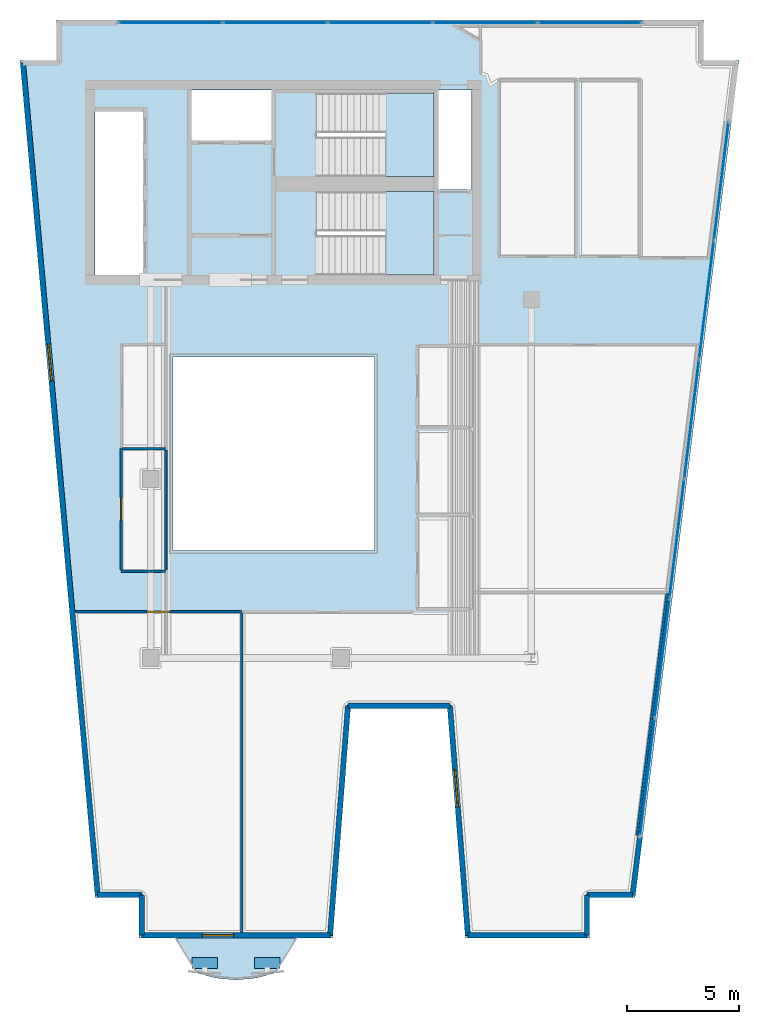
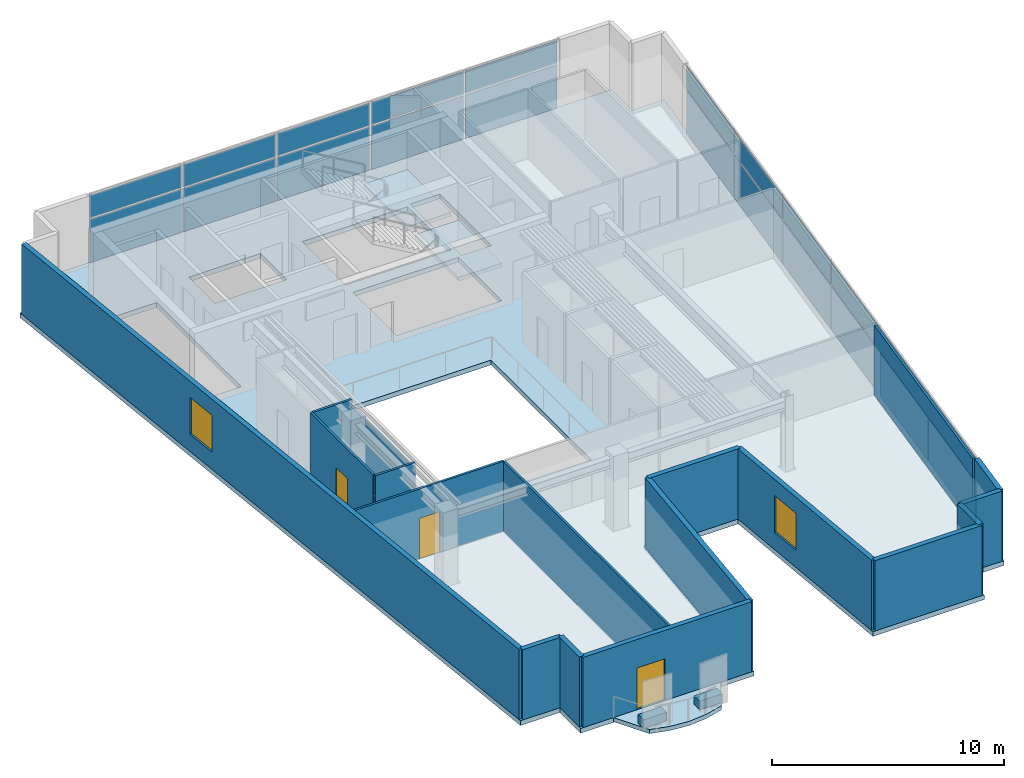
# One storey, part 3 of 8: 24 plates, 18 walls, 4 slabs, 3 doors, 2 windows, 5 openings, 4 elements without a shape of their own.
"""IFC4 building model written with IfcOpenShell, lengths in metres."""

from ifc_helpers import new_model, si_unit, direction, frame, frame_2d, origin, origin_2d, place, context, subcontext, project, spatial, polyline, rectangle, outline, extrude, material, layer, layer_set, type_object, element, fill, aggregate, save


model = new_model("IFC4")

# Units and contexts
model_context = context("Model", 3, precision=1e-05, world=origin(), true_north=direction((0.0, 1.0)))
body_context = subcontext(model_context, "Body", "Model", "MODEL_VIEW")
ifc_project = project(units=[si_unit("LENGTHUNIT", "METRE"), si_unit("AREAUNIT", "SQUARE_METRE"), si_unit("VOLUMEUNIT", "CUBIC_METRE"), si_unit("PLANEANGLEUNIT", "RADIAN"), si_unit("MASSUNIT", "GRAM", prefix="KILO")], contexts=[model_context])

# Site, building, storey
site_placement = place(None, origin())
site = spatial("IfcSite", under=ifc_project, at=site_placement, CompositionType="ELEMENT")
building_placement = place(site_placement, origin())
building = spatial("IfcBuilding", under=site, at=building_placement, Name="Caeloran Harvest Quay", CompositionType="ELEMENT")
storey_placement = place(building_placement, frame((0.0, 0.0, 260.64990234375)))
storey = spatial("IfcBuildingStorey", under=building, at=storey_placement, Name="L62", CompositionType="ELEMENT", Elevation=260.64990234375)

# Slab
ifc_material_1 = material(Name="Concrete C50/60", Category="concrete")
ifc_layer_1 = layer(ifc_material_1, 0.219970703125, Name="Concrete C50/60")
ifc_layer_set_1 = layer_set([ifc_layer_1], Name="Concrete C50/60")
slab_type_1 = type_object("IfcSlabType", Name="BALCONY-BL-220", PredefinedType="FLOOR", material=ifc_layer_set_1)
slab_1_placement = place(storey_placement, frame((0.0, 0.0, -0.219970703125)))
element("IfcSlab", 1, at=slab_1_placement, inside=storey, type_object=slab_type_1, Name="L62 Scalloped Cantilevered Planted Balcony Slab", PredefinedType="FLOOR", context=body_context, shape_type="SweptSolid", body=[
    extrude(outline(polyline([(14.103515625, 0.945068359375), (13.20654296875, 0.70703125), (12.3095703125, 0.6201171875), (11.41259765625, 0.70703125), (10.515380859375, 0.945068359375), (9.6298828125, 2.5), (14.989013671875, 2.5), (14.103515625, 0.945068359375)])), origin(), (0.0, 0.0, 1.0), 0.219970703125),
])

# Curtain wall, plates
ifc_material_2 = material(Name="Aluminium 6063-T6 and Low-E Glazing", Category="aluminium")
ifc_layer_2 = layer(ifc_material_2, 0.219970703125, Name="Aluminium 6063-T6 and Low-E Glazing")
ifc_layer_set_2 = layer_set([ifc_layer_2], Name="Aluminium 6063-T6 and Low-E Glazing")
curtain_wall_type = type_object("IfcCurtainWallType", Name="CW-SYS-CW-5", PredefinedType="USERDEFINED", material=ifc_layer_set_2)
curtain_wall_1_placement = place(storey_placement, origin())
curtain_wall_1 = element("IfcCurtainWall", 2, at=curtain_wall_1_placement, inside=storey, type_object=curtain_wall_type, Name="L62 Unitised Curtain Wall CW-5 Run 6", ObjectType="CURTAIN_WALL", PredefinedType="USERDEFINED")
ifc_material_3 = material(Name="Low-E Double Glazed Vision Glass Unit", Category="glass")
ifc_layer_3 = layer(ifc_material_3, 0.035888671875, Name="Low-E Double Glazed Vision Glass Unit")
ifc_layer_set_3 = layer_set([ifc_layer_3], Name="Low-E Double Glazed Vision Glass Unit")
plate_type_1 = type_object("IfcPlateType", Name="CW-VISION-PANEL", PredefinedType="CURTAIN_PANEL", material=ifc_layer_set_3)
plate_1_placement = place(storey_placement, frame((9.385986328125, 43.3798828125, 0.080078125), z_axis=(0.0, 0.0, 1.0), x_axis=(1.0, 0.0, 0.0)))
plate_1 = element("IfcPlate", 3, at=plate_1_placement, type_object=plate_type_1, Name="CW-5 panel 1.1", PredefinedType="CURTAIN_PANEL", context=body_context, shape_type="SweptSolid", body=[
    extrude(rectangle(XDim=4.572021484375, YDim=0.035888671875, at=origin_2d()), origin(), (0.0, 0.0, 1.0), 2.280029296875),
])
plate_2_placement = place(storey_placement, frame((9.385986328125, 43.3798828125, 2.43994140625), z_axis=(0.0, 0.0, 1.0), x_axis=(1.0, 0.0, 0.0)))
plate_2 = element("IfcPlate", 4, at=plate_2_placement, type_object=plate_type_1, Name="CW-5 panel 1.2", PredefinedType="CURTAIN_PANEL", context=body_context, shape_type="SweptSolid", body=[
    extrude(rectangle(XDim=4.572021484375, YDim=0.035888671875, at=origin_2d()), origin(), (0.0, 0.0, 1.0), 1.179931640625),
])
plate_3_placement = place(storey_placement, frame((14.05810546875, 43.3798828125, 0.080078125), z_axis=(0.0, 0.0, 1.0), x_axis=(1.0, 0.0, 0.0)))
plate_3 = element("IfcPlate", 5, at=plate_3_placement, type_object=plate_type_1, Name="CW-5 panel 2.1", PredefinedType="CURTAIN_PANEL", context=body_context, shape_type="SweptSolid", body=[
    extrude(rectangle(XDim=4.612060546875, YDim=0.035888671875, at=origin_2d()), origin(), (0.0, 0.0, 1.0), 2.280029296875),
])
plate_4_placement = place(storey_placement, frame((14.05810546875, 43.3798828125, 2.43994140625), z_axis=(0.0, 0.0, 1.0), x_axis=(1.0, 0.0, 0.0)))
plate_4 = element("IfcPlate", 6, at=plate_4_placement, type_object=plate_type_1, Name="CW-5 panel 2.2", PredefinedType="CURTAIN_PANEL", context=body_context, shape_type="SweptSolid", body=[
    extrude(rectangle(XDim=4.612060546875, YDim=0.035888671875, at=origin_2d()), origin(), (0.0, 0.0, 1.0), 1.179931640625),
])
plate_5_placement = place(storey_placement, frame((18.75, 43.3798828125, 0.080078125), z_axis=(0.0, 0.0, 1.0), x_axis=(1.0, 0.0, 0.0)))
plate_5 = element("IfcPlate", 7, at=plate_5_placement, type_object=plate_type_1, Name="CW-5 panel 3.1", PredefinedType="CURTAIN_PANEL", context=body_context, shape_type="SweptSolid", body=[
    extrude(rectangle(XDim=4.612060546875, YDim=0.035888671875, at=origin_2d()), origin(), (0.0, 0.0, 1.0), 2.280029296875),
])
plate_6_placement = place(storey_placement, frame((18.75, 43.3798828125, 2.43994140625), z_axis=(0.0, 0.0, 1.0), x_axis=(1.0, 0.0, 0.0)))
plate_6 = element("IfcPlate", 8, at=plate_6_placement, type_object=plate_type_1, Name="CW-5 panel 3.2", PredefinedType="CURTAIN_PANEL", context=body_context, shape_type="SweptSolid", body=[
    extrude(rectangle(XDim=4.612060546875, YDim=0.035888671875, at=origin_2d()), origin(), (0.0, 0.0, 1.0), 1.179931640625),
])
plate_7_placement = place(storey_placement, frame((23.44189453125, 43.3798828125, 0.080078125), z_axis=(0.0, 0.0, 1.0), x_axis=(1.0, 0.0, 0.0)))
plate_7 = element("IfcPlate", 9, at=plate_7_placement, type_object=plate_type_1, Name="CW-5 panel 4.1", PredefinedType="CURTAIN_PANEL", context=body_context, shape_type="SweptSolid", body=[
    extrude(rectangle(XDim=4.612060546875, YDim=0.035888671875, at=origin_2d()), origin(), (0.0, 0.0, 1.0), 2.280029296875),
])
plate_8_placement = place(storey_placement, frame((23.44189453125, 43.3798828125, 2.43994140625), z_axis=(0.0, 0.0, 1.0), x_axis=(1.0, 0.0, 0.0)))
plate_8 = element("IfcPlate", 10, at=plate_8_placement, type_object=plate_type_1, Name="CW-5 panel 4.2", PredefinedType="CURTAIN_PANEL", context=body_context, shape_type="SweptSolid", body=[
    extrude(rectangle(XDim=4.612060546875, YDim=0.035888671875, at=origin_2d()), origin(), (0.0, 0.0, 1.0), 1.179931640625),
])
plate_9_placement = place(storey_placement, frame((28.114013671875, 43.3798828125, 0.080078125), z_axis=(0.0, 0.0, 1.0), x_axis=(1.0, 0.0, 0.0)))
plate_9 = element("IfcPlate", 11, at=plate_9_placement, type_object=plate_type_1, Name="CW-5 panel 5.1", PredefinedType="CURTAIN_PANEL", context=body_context, shape_type="SweptSolid", body=[
    extrude(rectangle(XDim=4.572021484375, YDim=0.035888671875, at=origin_2d()), origin(), (0.0, 0.0, 1.0), 2.280029296875),
])
plate_10_placement = place(storey_placement, frame((28.114013671875, 43.3798828125, 2.43994140625), z_axis=(0.0, 0.0, 1.0), x_axis=(1.0, 0.0, 0.0)))
plate_10 = element("IfcPlate", 12, at=plate_10_placement, type_object=plate_type_1, Name="CW-5 panel 5.2", PredefinedType="CURTAIN_PANEL", context=body_context, shape_type="SweptSolid", body=[
    extrude(rectangle(XDim=4.572021484375, YDim=0.035888671875, at=origin_2d()), origin(), (0.0, 0.0, 1.0), 1.179931640625),
])
aggregate(curtain_wall_1, [plate_1, plate_2, plate_3, plate_4, plate_5, plate_6, plate_7, plate_8, plate_9, plate_10])

curtain_wall_2_placement = place(storey_placement, origin())
curtain_wall_2 = element("IfcCurtainWall", 13, at=curtain_wall_2_placement, inside=storey, type_object=curtain_wall_type, Name="L62 Unitised Curtain Wall CW-5 Run 9", ObjectType="CURTAIN_WALL", PredefinedType="USERDEFINED")
plate_11_placement = place(storey_placement, frame((33.987060546875, 36.313232421875, 0.080078125), z_axis=(0.0, 0.0, 1.0), x_axis=(-0.123190390176, -0.992383054958, 0.0)))
plate_11 = element("IfcPlate", 14, at=plate_11_placement, type_object=plate_type_1, Name="CW-5 panel 1.1", PredefinedType="CURTAIN_PANEL", context=body_context, shape_type="SweptSolid", body=[
    extrude(rectangle(XDim=5.254150390625, YDim=0.035888671875, at=origin_2d()), origin(), (0.0, 0.0, 1.0), 2.280029296875),
])
plate_12_placement = place(storey_placement, frame((33.987060546875, 36.313232421875, 2.43994140625), z_axis=(0.0, 0.0, 1.0), x_axis=(-0.123190390176, -0.992383054958, 0.0)))
plate_12 = element("IfcPlate", 15, at=plate_12_placement, type_object=plate_type_1, Name="CW-5 panel 1.2", PredefinedType="CURTAIN_PANEL", context=body_context, shape_type="SweptSolid", body=[
    extrude(rectangle(XDim=5.254150390625, YDim=0.035888671875, at=origin_2d()), origin(), (0.0, 0.0, 1.0), 1.179931640625),
])
plate_13_placement = place(storey_placement, frame((33.327392578125, 31.0, 0.080078125), z_axis=(0.0, 0.0, 1.0), x_axis=(-0.123190390176, -0.992383054958, 0.0)))
plate_13 = element("IfcPlate", 16, at=plate_13_placement, type_object=plate_type_1, Name="CW-5 panel 2.1", PredefinedType="CURTAIN_PANEL", context=body_context, shape_type="SweptSolid", body=[
    extrude(rectangle(XDim=5.294189453125, YDim=0.035888671875, at=origin_2d()), origin(), (0.0, 0.0, 1.0), 2.280029296875),
])
plate_14_placement = place(storey_placement, frame((33.327392578125, 31.0, 2.43994140625), z_axis=(0.0, 0.0, 1.0), x_axis=(-0.123190390176, -0.992383054958, 0.0)))
plate_14 = element("IfcPlate", 17, at=plate_14_placement, type_object=plate_type_1, Name="CW-5 panel 2.2", PredefinedType="CURTAIN_PANEL", context=body_context, shape_type="SweptSolid", body=[
    extrude(rectangle(XDim=5.294189453125, YDim=0.035888671875, at=origin_2d()), origin(), (0.0, 0.0, 1.0), 1.179931640625),
])
plate_15_placement = place(storey_placement, frame((32.665283203125, 25.666748046875, 0.080078125), z_axis=(0.0, 0.0, 1.0), x_axis=(-0.123190390176, -0.992383054958, 0.0)))
plate_15 = element("IfcPlate", 18, at=plate_15_placement, type_object=plate_type_1, Name="CW-5 panel 3.1", PredefinedType="CURTAIN_PANEL", context=body_context, shape_type="SweptSolid", body=[
    extrude(rectangle(XDim=5.294189453125, YDim=0.035888671875, at=origin_2d()), origin(), (0.0, 0.0, 1.0), 2.280029296875),
])
plate_16_placement = place(storey_placement, frame((32.665283203125, 25.666748046875, 2.43994140625), z_axis=(0.0, 0.0, 1.0), x_axis=(-0.123190390176, -0.992383054958, 0.0)))
plate_16 = element("IfcPlate", 19, at=plate_16_placement, type_object=plate_type_1, Name="CW-5 panel 3.2", PredefinedType="CURTAIN_PANEL", context=body_context, shape_type="SweptSolid", body=[
    extrude(rectangle(XDim=5.294189453125, YDim=0.035888671875, at=origin_2d()), origin(), (0.0, 0.0, 1.0), 1.179931640625),
])
plate_17_placement = place(storey_placement, frame((32.00341796875, 20.333251953125, 0.080078125), z_axis=(0.0, 0.0, 1.0), x_axis=(-0.123190390176, -0.992383054958, 0.0)))
plate_17 = element("IfcPlate", 20, at=plate_17_placement, type_object=plate_type_1, Name="CW-5 panel 4.1", PredefinedType="CURTAIN_PANEL", context=body_context, shape_type="SweptSolid", body=[
    extrude(rectangle(XDim=5.294189453125, YDim=0.035888671875, at=origin_2d()), origin(), (0.0, 0.0, 1.0), 2.280029296875),
])
plate_18_placement = place(storey_placement, frame((32.00341796875, 20.333251953125, 2.43994140625), z_axis=(0.0, 0.0, 1.0), x_axis=(-0.123190390176, -0.992383054958, 0.0)))
plate_18 = element("IfcPlate", 21, at=plate_18_placement, type_object=plate_type_1, Name="CW-5 panel 4.2", PredefinedType="CURTAIN_PANEL", context=body_context, shape_type="SweptSolid", body=[
    extrude(rectangle(XDim=5.294189453125, YDim=0.035888671875, at=origin_2d()), origin(), (0.0, 0.0, 1.0), 1.179931640625),
])
plate_19_placement = place(storey_placement, frame((31.34130859375, 15.0, 0.080078125), z_axis=(0.0, 0.0, 1.0), x_axis=(-0.123190390176, -0.992383054958, 0.0)))
plate_19 = element("IfcPlate", 22, at=plate_19_placement, type_object=plate_type_1, Name="CW-5 panel 5.1", PredefinedType="CURTAIN_PANEL", context=body_context, shape_type="SweptSolid", body=[
    extrude(rectangle(XDim=5.294189453125, YDim=0.035888671875, at=origin_2d()), origin(), (0.0, 0.0, 1.0), 2.280029296875),
])
plate_20_placement = place(storey_placement, frame((31.34130859375, 15.0, 2.43994140625), z_axis=(0.0, 0.0, 1.0), x_axis=(-0.123190390176, -0.992383054958, 0.0)))
plate_20 = element("IfcPlate", 23, at=plate_20_placement, type_object=plate_type_1, Name="CW-5 panel 5.2", PredefinedType="CURTAIN_PANEL", context=body_context, shape_type="SweptSolid", body=[
    extrude(rectangle(XDim=5.294189453125, YDim=0.035888671875, at=origin_2d()), origin(), (0.0, 0.0, 1.0), 1.179931640625),
])
plate_21_placement = place(storey_placement, frame((30.681640625, 9.686767578125, 0.080078125), z_axis=(0.0, 0.0, 1.0), x_axis=(-0.123190390176, -0.992383054958, 0.0)))
plate_21 = element("IfcPlate", 24, at=plate_21_placement, type_object=plate_type_1, Name="CW-5 panel 6.1", PredefinedType="CURTAIN_PANEL", context=body_context, shape_type="SweptSolid", body=[
    extrude(rectangle(XDim=5.254150390625, YDim=0.035888671875, at=origin_2d()), origin(), (0.0, 0.0, 1.0), 2.280029296875),
])
plate_22_placement = place(storey_placement, frame((30.681640625, 9.686767578125, 2.43994140625), z_axis=(0.0, 0.0, 1.0), x_axis=(-0.123190390176, -0.992383054958, 0.0)))
plate_22 = element("IfcPlate", 25, at=plate_22_placement, type_object=plate_type_1, Name="CW-5 panel 6.2", PredefinedType="CURTAIN_PANEL", context=body_context, shape_type="SweptSolid", body=[
    extrude(rectangle(XDim=5.254150390625, YDim=0.035888671875, at=origin_2d()), origin(), (0.0, 0.0, 1.0), 1.179931640625),
])
aggregate(curtain_wall_2, [plate_11, plate_12, plate_13, plate_14, plate_15, plate_16, plate_17, plate_18, plate_19, plate_20, plate_21, plate_22])

# Plates
ifc_material_4 = material(Name="Precast concrete C50/60", Category="concrete")
ifc_layer_4 = layer(ifc_material_4, 0.449951171875, Name="Precast concrete C50/60")
ifc_layer_set_4 = layer_set([ifc_layer_4], Name="Precast concrete C50/60")
plate_type_2 = type_object("IfcPlateType", Name="PLANTER-TROUGH-450", PredefinedType="USERDEFINED", material=ifc_layer_set_4)
for number, where, z_axis, x_axis, name in (
    (26, (13.708740234375, 1.3798828125, 0.0), (0.0, 0.0, 1.0), (1.0, 0.0, 0.0), "L62 Balcony Vertical-Greenery Precast PLANTER Trough 1"),
    (27, (10.91015625, 1.3798828125, 0.0), (0.0, 0.0, 1.0), (1.0, 0.0, 0.0), "L62 Balcony Vertical-Greenery Precast PLANTER Trough 2"),
):
    element("IfcPlate", number, at=place(storey_placement, frame(where, z_axis=z_axis, x_axis=x_axis)), inside=storey, type_object=plate_type_2, Name=name, ObjectType="PLANTER", PredefinedType="USERDEFINED", context=body_context, shape_type="SweptSolid", body=[
        extrude(rectangle(XDim=1.14990234375, YDim=0.47998046875, at=origin_2d()), origin(), (0.0, 0.0, 1.0), 0.449951171875),
    ])

# Slab
ifc_layer_5 = layer(ifc_material_1, 0.25, Name="Concrete C50/60")
ifc_layer_set_5 = layer_set([ifc_layer_5], Name="Concrete C50/60")
slab_type_2 = type_object("IfcSlabType", Name="SLAB-FS-250", PredefinedType="FLOOR", material=ifc_layer_set_5)
slab_2_placement = place(storey_placement, frame((0.0, 0.0, -0.25)))
element("IfcSlab", 28, at=slab_2_placement, inside=storey, type_object=slab_type_2, Name="L62 Structural Floor Slab", PredefinedType="FLOOR", context=body_context, shape_type="SweptSolid", body=[
    extrude(outline(polyline([(7.985595703125, 2.5), (16.62451171875, 2.5), (17.424560546875, 12.75), (21.755615234375, 12.75), (22.5556640625, 2.5), (28.110595703125, 2.5), (28.110595703125, 4.300048828125), (30.1337890625, 4.300048828125), (34.776611328125, 41.699951171875), (33.199951171875, 41.699951171875), (33.199951171875, 43.5), (4.300048828125, 43.5), (4.300048828125, 41.699951171875), (2.661865234375, 41.699951171875), (6.023681640625, 4.300048828125), (7.985595703125, 4.300048828125), (7.985595703125, 2.5)]), holes=[polyline([(18.5, 28.449951171875), (18.5, 19.800048828125), (9.5, 19.800048828125), (9.5, 28.449951171875), (18.5, 28.449951171875)]), polyline([(15.89990234375, 32.10009765625), (15.89990234375, 35.85009765625), (21.14990234375, 35.85009765625), (21.14990234375, 32.10009765625), (15.89990234375, 32.10009765625)]), polyline([(8.159912109375, 32.1201171875), (6.02001953125, 32.1201171875), (6.02001953125, 39.419921875), (8.159912109375, 39.419921875), (8.159912109375, 32.1201171875)]), polyline([(22.830078125, 40.3798828125), (22.830078125, 35.919921875), (21.35009765625, 35.919921875), (21.35009765625, 40.3798828125), (22.830078125, 40.3798828125)]), polyline([(15.89990234375, 36.5), (15.89990234375, 40.25), (21.14990234375, 40.25), (21.14990234375, 36.5), (15.89990234375, 36.5)]), polyline([(13.89990234375, 38.1201171875), (10.320068359375, 38.1201171875), (10.320068359375, 40.3798828125), (13.89990234375, 40.3798828125), (13.89990234375, 38.1201171875)])]), origin(), (0.0, 0.0, 1.0), 0.25),
])

# Stair, slab
stair_type = type_object("IfcStairType", Name="STAIR-STC-180", PredefinedType="HALF_TURN_STAIR", material=ifc_material_1)
stair_1_placement = place(storey_placement, origin())
stair_1 = element("IfcStair", 29, at=stair_1_placement, inside=storey, type_object=stair_type, Name="L62 Core Pressurized Exit Stair ST-C1", PredefinedType="HALF_TURN_STAIR")
ifc_layer_6 = layer(ifc_material_1, 0.219970703125, Name="Concrete C50/60")
ifc_layer_set_6 = layer_set([ifc_layer_6], Name="Concrete C50/60")
slab_type_3 = type_object("IfcSlabType", Name="STAIR-LANDING-220", PredefinedType="LANDING", material=ifc_layer_set_6)
slab_3_placement = place(storey_placement, frame((0.0, 0.0, 1.775146484375)))
slab_3 = element("IfcSlab", 30, at=slab_3_placement, type_object=slab_type_3, Name="ST-C1 landing 1", PredefinedType="LANDING", context=body_context, shape_type="SweptSolid", body=[
    extrude(outline(polyline([(18.97998046875, 36.5), (21.14990234375, 36.5), (21.14990234375, 40.25), (18.97998046875, 40.25), (18.97998046875, 36.5)])), origin(), (0.0, 0.0, 1.0), 0.199951171875),
])
aggregate(stair_1, [slab_3])

stair_2_placement = place(storey_placement, origin())
stair_2 = element("IfcStair", 31, at=stair_2_placement, inside=storey, type_object=stair_type, Name="L62 Core Pressurized Exit Stair ST-C2", PredefinedType="HALF_TURN_STAIR")
slab_4_placement = place(storey_placement, frame((0.0, 0.0, 1.775146484375)))
slab_4 = element("IfcSlab", 32, at=slab_4_placement, type_object=slab_type_3, Name="ST-C2 landing 1", PredefinedType="LANDING", context=body_context, shape_type="SweptSolid", body=[
    extrude(outline(polyline([(18.97998046875, 32.10009765625), (21.14990234375, 32.10009765625), (21.14990234375, 35.85009765625), (18.97998046875, 35.85009765625), (18.97998046875, 32.10009765625)])), origin(), (0.0, 0.0, 1.0), 0.199951171875),
])
aggregate(stair_2, [slab_4])

# Walls
ifc_layer_7 = layer(ifc_material_4, 0.239990234375, Name="Precast concrete C50/60")
ifc_layer_set_7 = layer_set([ifc_layer_7], Name="Precast concrete C50/60")
wall_type_1 = type_object("IfcWallType", Name="ENV-WALL-EW-240", PredefinedType="STANDARD", material=ifc_layer_set_7)
wall_1_placement = place(storey_placement, frame((8.10546875, 2.6201171875, 0.0), z_axis=(0.0, 0.0, 1.0), x_axis=(0.0, 1.0, 0.0)))
element("IfcWall", 33, at=wall_1_placement, inside=storey, type_object=wall_type_1, Name="L62 Exterior Precast Concrete Facade Wall 1", PredefinedType="STANDARD", context=body_context, shape_type="SweptSolid", body=[
    extrude(rectangle(XDim=1.7998046875, YDim=0.239990234375, at=frame_2d((0.89990234375, 0.0))), origin(), (0.0, 0.0, 1.0), 3.7001953125),
])
wall_2_placement = place(storey_placement, frame((8.10546875, 4.419921875, 0.0), z_axis=(0.0, 0.0, 1.0), x_axis=(-1.0, 0.0, 0.0)))
element("IfcWall", 34, at=wall_2_placement, inside=storey, type_object=wall_type_1, Name="L62 Exterior Precast Concrete Facade Wall 2", PredefinedType="STANDARD", context=body_context, shape_type="SweptSolid", body=[
    extrude(rectangle(XDim=1.97216796875, YDim=0.239990234375, at=frame_2d((0.986083984375, 0.0))), origin(), (0.0, 0.0, 1.0), 3.7001953125),
])

# Wall, opening, window
wall_3_placement = place(storey_placement, frame((6.13330078125, 4.419921875, 0.0), z_axis=(0.0, 0.0, 1.0), x_axis=(-0.089522678378, 0.995984784048, 0.0)))
wall_3 = element("IfcWall", 35, at=wall_3_placement, inside=storey, type_object=wall_type_1, Name="L62 Exterior Precast Concrete Facade Wall 3", PredefinedType="STANDARD", context=body_context, shape_type="SweptSolid", body=[
    extrude(rectangle(XDim=37.31005859375, YDim=0.239990234375, at=frame_2d((18.655029296875, 0.0))), origin(), (0.0, 0.0, 1.0), 3.7001953125),
])
opening_1_placement = place(wall_3_placement, frame((23.052978515625, 0.0, 0.89990234375)))
opening_1 = element("IfcOpeningElement", 36, at=opening_1_placement, cuts=wall_3, Name="Opening W-08", PredefinedType="OPENING", context=body_context, shape_type="SweptSolid", body=[
    extrude(rectangle(XDim=1.64990234375, YDim=1.949951171875, at=frame_2d((0.824951171875, 0.97509765625))), frame((0.0, 0.1298828125, 0.0), z_axis=(0.0, -1.0, 0.0), x_axis=(1.0, 0.0, 0.0)), (0.0, 0.0, 1.0), 0.260009765625),
])
ifc_material_5 = material(Name="Aluminium-Framed Low-E Laminated Glass", Category="aluminium")
window_type = type_object("IfcWindowType", Name="WIN-W-08", PartitioningType="SINGLE_PANEL", PredefinedType="WINDOW", material=ifc_material_5)
window_1_placement = place(opening_1_placement, origin())
window_1 = element("IfcWindow", 37, at=window_1_placement, inside=storey, type_object=window_type, Name="L62 Facade Punched Window W-08", OverallHeight=1.949951171875, OverallWidth=1.64990234375, PartitioningType="SINGLE_PANEL", PredefinedType="WINDOW", context=body_context, shape_type="SweptSolid", body=[
    extrude(rectangle(XDim=1.64990234375, YDim=1.949951171875, at=frame_2d((0.824951171875, 0.97509765625))), frame((0.0, 0.030029296875, 0.0), z_axis=(0.0, -1.0, 0.0), x_axis=(1.0, 0.0, 0.0)), (0.0, 0.0, 1.0), 0.06005859375),
])
fill(opening_1, window_1)

# Walls
wall_4_placement = place(storey_placement, frame((30.34814453125, 7.000244140625, 0.0), z_axis=(0.0, 0.0, 1.0), x_axis=(-0.123191073593, -0.992382970121, 0.0)))
element("IfcWall", 38, at=wall_4_placement, inside=storey, type_object=wall_type_1, Name="L62 Exterior Facade Corner Pier Wall 9B", PredefinedType="STANDARD", context=body_context, shape_type="SweptSolid", body=[
    extrude(rectangle(XDim=2.60009765625, YDim=0.239990234375, at=frame_2d((1.300048828125, 0.0))), origin(), (0.0, 0.0, 1.0), 3.7001953125),
])
wall_5_placement = place(storey_placement, frame((30.02783203125, 4.419921875, 0.0), z_axis=(0.0, 0.0, 1.0), x_axis=(-1.0, 0.0, 0.0)))
element("IfcWall", 39, at=wall_5_placement, inside=storey, type_object=wall_type_1, Name="L62 Exterior Precast Concrete Facade Wall 10", PredefinedType="STANDARD", context=body_context, shape_type="SweptSolid", body=[
    extrude(rectangle(XDim=2.037353515625, YDim=0.239990234375, at=frame_2d((1.0185546875, 0.0))), origin(), (0.0, 0.0, 1.0), 3.7001953125),
])
wall_6_placement = place(storey_placement, frame((27.990478515625, 4.419921875, 0.0), z_axis=(0.0, 0.0, 1.0), x_axis=(0.0, -1.0, 0.0)))
element("IfcWall", 40, at=wall_6_placement, inside=storey, type_object=wall_type_1, Name="L62 Exterior Precast Concrete Facade Wall 11", PredefinedType="STANDARD", context=body_context, shape_type="SweptSolid", body=[
    extrude(rectangle(XDim=1.7998046875, YDim=0.239990234375, at=frame_2d((0.89990234375, 0.0))), origin(), (0.0, 0.0, 1.0), 3.7001953125),
])
wall_7_placement = place(storey_placement, frame((27.990478515625, 2.6201171875, 0.0), z_axis=(0.0, 0.0, 1.0), x_axis=(-1.0, 0.0, 0.0)))
element("IfcWall", 41, at=wall_7_placement, inside=storey, type_object=wall_type_1, Name="L62 Exterior Precast Concrete Facade Wall 12", PredefinedType="STANDARD", context=body_context, shape_type="SweptSolid", body=[
    extrude(rectangle(XDim=5.32373046875, YDim=0.239990234375, at=frame_2d((2.661865234375, 0.0))), origin(), (0.0, 0.0, 1.0), 3.7001953125),
])

# Wall, opening, window
wall_8_placement = place(storey_placement, frame((22.666748046875, 2.6201171875, 0.0), z_axis=(0.0, 0.0, 1.0), x_axis=(-0.077816860153, 0.996967670627, 0.0)))
wall_8 = element("IfcWall", 42, at=wall_8_placement, inside=storey, type_object=wall_type_1, Name="L62 Exterior Precast Concrete Facade Wall 13", PredefinedType="STANDARD", context=body_context, shape_type="SweptSolid", body=[
    extrude(rectangle(XDim=10.28125, YDim=0.239990234375, at=frame_2d((5.140625, 0.0))), origin(), (0.0, 0.0, 1.0), 3.7001953125),
])
opening_2_placement = place(wall_8_placement, frame((5.7548828125, 0.0, 0.89990234375)))
opening_2 = element("IfcOpeningElement", 43, at=opening_2_placement, cuts=wall_8, Name="Opening W-08", PredefinedType="OPENING", context=body_context, shape_type="SweptSolid", body=[
    extrude(rectangle(XDim=1.64990234375, YDim=1.949951171875, at=frame_2d((0.824951171875, 0.97509765625))), frame((0.0, 0.1298828125, 0.0), z_axis=(0.0, -1.0, 0.0), x_axis=(1.0, 0.0, 0.0)), (0.0, 0.0, 1.0), 0.260009765625),
])
window_2_placement = place(opening_2_placement, origin())
window_2 = element("IfcWindow", 44, at=window_2_placement, inside=storey, type_object=window_type, Name="L62 Facade Punched Window W-08", OverallHeight=1.949951171875, OverallWidth=1.64990234375, PartitioningType="SINGLE_PANEL", PredefinedType="WINDOW", context=body_context, shape_type="SweptSolid", body=[
    extrude(rectangle(XDim=1.64990234375, YDim=1.949951171875, at=frame_2d((0.824951171875, 0.97509765625))), frame((0.0, 0.030029296875, 0.0), z_axis=(0.0, -1.0, 0.0), x_axis=(1.0, 0.0, 0.0)), (0.0, 0.0, 1.0), 0.06005859375),
])
fill(opening_2, window_2)

# Walls
wall_9_placement = place(storey_placement, frame((21.86669921875, 12.8701171875, 0.0), z_axis=(0.0, 0.0, 1.0), x_axis=(-1.0, 0.0, 0.0)))
element("IfcWall", 45, at=wall_9_placement, inside=storey, type_object=wall_type_1, Name="L62 Exterior Precast Concrete Facade Wall 14", PredefinedType="STANDARD", context=body_context, shape_type="SweptSolid", body=[
    extrude(rectangle(XDim=4.55322265625, YDim=0.239990234375, at=frame_2d((2.276611328125, 0.0))), origin(), (0.0, 0.0, 1.0), 3.7001953125),
])
wall_10_placement = place(storey_placement, frame((17.3134765625, 12.8701171875, 0.0), z_axis=(0.0, 0.0, 1.0), x_axis=(-0.077816860153, -0.996967670627, 0.0)))
element("IfcWall", 46, at=wall_10_placement, inside=storey, type_object=wall_type_1, Name="L62 Exterior Precast Concrete Facade Wall 15", PredefinedType="STANDARD", context=body_context, shape_type="SweptSolid", body=[
    extrude(rectangle(XDim=10.28125, YDim=0.239990234375, at=frame_2d((5.140625, 0.0))), origin(), (0.0, 0.0, 1.0), 3.7001953125),
])

# Wall, opening, door
wall_11_placement = place(storey_placement, frame((16.513427734375, 2.6201171875, 0.0), z_axis=(0.0, 0.0, 1.0), x_axis=(-1.0, 0.0, 0.0)))
wall_11 = element("IfcWall", 47, at=wall_11_placement, inside=storey, type_object=wall_type_1, Name="L62 Exterior Precast Concrete Facade Wall 16", PredefinedType="STANDARD", context=body_context, shape_type="SweptSolid", body=[
    extrude(rectangle(XDim=8.407958984375, YDim=0.239990234375, at=frame_2d((4.2041015625, 0.0))), origin(), (0.0, 0.0, 1.0), 3.7001953125),
])
opening_3_placement = place(wall_11_placement, frame((4.31103515625, 0.0, 0.0)))
opening_3 = element("IfcOpeningElement", 48, at=opening_3_placement, cuts=wall_11, Name="Opening BD-02", PredefinedType="OPENING", context=body_context, shape_type="SweptSolid", body=[
    extrude(rectangle(XDim=1.39990234375, YDim=2.199951171875, at=frame_2d((0.699951171875, 1.10009765625))), frame((0.0, 0.1298828125, 0.0), z_axis=(0.0, -1.0, 0.0), x_axis=(1.0, 0.0, 0.0)), (0.0, 0.0, 1.0), 0.260009765625),
])
ifc_material_6 = material(Name="Thermally Broken Powder-Coated Aluminium and Safety Glass", Category="aluminium")
door_type_1 = type_object("IfcDoorType", Name="EXTDOOR-BD-02", OperationType="NOTDEFINED", PredefinedType="DOOR", material=ifc_material_6)
door_1_placement = place(opening_3_placement, origin())
door_1 = element("IfcDoor", 49, at=door_1_placement, inside=storey, type_object=door_type_1, Name="L62 Planted Balcony Glazed Access Door", OperationType="SINGLE_SWING_LEFT", OverallHeight=2.199951171875, OverallWidth=1.39990234375, PredefinedType="DOOR", context=body_context, shape_type="SweptSolid", body=[
    extrude(rectangle(XDim=1.39990234375, YDim=2.199951171875, at=frame_2d((0.699951171875, 1.10009765625))), frame((0.0, 0.02490234375, 0.0), z_axis=(0.0, -1.0, 0.0), x_axis=(1.0, 0.0, 0.0)), (0.0, 0.0, 1.0), 0.050048828125),
])
fill(opening_3, door_1)

ifc_material_7 = material(Name="Single-Stud Acoustic Gypsum Office Partition", Category="gypsum")
ifc_layer_8 = layer(ifc_material_7, 0.112060546875, Name="Single-Stud Acoustic Gypsum Office Partition")
ifc_layer_set_8 = layer_set([ifc_layer_8], Name="Single-Stud Acoustic Gypsum Office Partition")
wall_type_2 = type_object("IfcWallType", Name="INT-WALL-PW-112", PredefinedType="PARTITIONING", material=ifc_layer_set_8)
wall_12_placement = place(storey_placement, frame((5.121826171875, 17.070068359375, 0.0), z_axis=(0.0, 0.0, 1.0), x_axis=(1.0, 0.0, 0.0)))
wall_12 = element("IfcWall", 50, at=wall_12_placement, inside=storey, type_object=wall_type_2, Name="Boutique Family-Office Chambers Partition Wall", PredefinedType="PARTITIONING", context=body_context, shape_type="SweptSolid", body=[
    extrude(rectangle(XDim=7.438232421875, YDim=0.112060546875, at=frame_2d((3.71923828125, 0.0))), origin(), (0.0, 0.0, 1.0), 3.7001953125),
])
opening_4_placement = place(wall_12_placement, frame((3.218994140625, 0.0, 0.0)))
opening_4 = element("IfcOpeningElement", 51, at=opening_4_placement, cuts=wall_12, Name="Opening ID-01", PredefinedType="OPENING", context=body_context, shape_type="SweptSolid", body=[
    extrude(rectangle(XDim=1.0, YDim=2.14990234375, at=frame_2d((0.5, 1.074951171875))), frame((0.0, 0.06591796875, 0.0), z_axis=(0.0, -1.0, 0.0), x_axis=(1.0, 0.0, 0.0)), (0.0, 0.0, 1.0), 0.132080078125),
])
ifc_material_8 = material(Name="FSC Solid-Core Ash Timber and Acoustic Seal", Category="wood")
door_type_2 = type_object("IfcDoorType", Name="INTDOOR-ID-01", OperationType="NOTDEFINED", PredefinedType="DOOR", material=ifc_material_8)
door_2_placement = place(opening_4_placement, origin())
door_2 = element("IfcDoor", 52, at=door_2_placement, inside=storey, type_object=door_type_2, Name="Boutique Family-Office Chambers Access Door", OperationType="SINGLE_SWING_LEFT", OverallHeight=2.14990234375, OverallWidth=1.0, PredefinedType="DOOR", context=body_context, shape_type="SweptSolid", body=[
    extrude(rectangle(XDim=1.0, YDim=2.14990234375, at=frame_2d((0.5, 1.074951171875))), frame((0.0, 0.02490234375, 0.0), z_axis=(0.0, -1.0, 0.0), x_axis=(1.0, 0.0, 0.0)), (0.0, 0.0, 1.0), 0.050048828125),
])
fill(opening_4, door_2)

# Walls
wall_13_placement = place(storey_placement, frame((12.56005859375, 17.009033203125, 0.0), z_axis=(0.0, 0.0, 1.0), x_axis=(0.0, -1.0, 0.0)))
element("IfcWall", 53, at=wall_13_placement, inside=storey, type_object=wall_type_2, Name="Boutique Family-Office Chambers Partition Wall", PredefinedType="PARTITIONING", context=body_context, shape_type="SweptSolid", body=[
    extrude(rectangle(XDim=14.263916015625, YDim=0.112060546875, at=frame_2d((7.1318359375, 0.0))), origin(), (0.0, 0.0, 1.0), 3.7001953125),
])
wall_14_placement = place(storey_placement, frame((31.557373046875, 17.87890625, 0.0), z_axis=(0.0, 0.0, 1.0), x_axis=(-0.12319234905, -0.99238281179, 0.0)))
element("IfcWall", 54, at=wall_14_placement, inside=storey, type_object=wall_type_2, Name="Philanthropy Impact Office Partition Wall", PredefinedType="PARTITIONING", context=body_context, shape_type="SweptSolid", body=[
    extrude(rectangle(XDim=10.8798828125, YDim=0.112060546875, at=frame_2d((5.43994140625, 0.0))), origin(), (0.0, 0.0, 1.0), 3.7001953125),
])
wall_15_placement = place(storey_placement, frame((9.169921875, 18.8798828125, 0.0), z_axis=(0.0, 0.0, 1.0), x_axis=(-1.0, 0.0, 0.0)))
element("IfcWall", 55, at=wall_15_placement, inside=storey, type_object=wall_type_2, Name="Quantitative Strategy Laboratory Partition Wall", PredefinedType="PARTITIONING", context=body_context, shape_type="SweptSolid", body=[
    extrude(rectangle(XDim=1.989990234375, YDim=0.112060546875, at=frame_2d((0.9951171875, 0.0))), origin(), (0.0, 0.0, 1.0), 3.7001953125),
])

# Wall, opening, door
wall_16_placement = place(storey_placement, frame((7.179931640625, 18.94091796875, 0.0), z_axis=(0.0, 0.0, 1.0), x_axis=(0.0, 1.0, 0.0)))
wall_16 = element("IfcWall", 56, at=wall_16_placement, inside=storey, type_object=wall_type_2, Name="Quantitative Strategy Laboratory Partition Wall", PredefinedType="PARTITIONING", context=body_context, shape_type="SweptSolid", body=[
    extrude(rectangle(XDim=5.419189453125, YDim=0.112060546875, at=frame_2d((2.70947265625, 0.0))), origin(), (0.0, 0.0, 1.0), 3.7001953125),
])
opening_5_placement = place(wall_16_placement, frame((2.20947265625, 0.0, 0.0)))
opening_5 = element("IfcOpeningElement", 57, at=opening_5_placement, cuts=wall_16, Name="Opening ID-01", PredefinedType="OPENING", context=body_context, shape_type="SweptSolid", body=[
    extrude(rectangle(XDim=1.0, YDim=2.14990234375, at=frame_2d((0.5, 1.074951171875))), frame((0.0, 0.06591796875, 0.0), z_axis=(0.0, -1.0, 0.0), x_axis=(1.0, 0.0, 0.0)), (0.0, 0.0, 1.0), 0.132080078125),
])
door_3_placement = place(opening_5_placement, origin())
door_3 = element("IfcDoor", 58, at=door_3_placement, inside=storey, type_object=door_type_2, Name="Quantitative Strategy Laboratory Access Door", OperationType="SINGLE_SWING_LEFT", OverallHeight=2.14990234375, OverallWidth=1.0, PredefinedType="DOOR", context=body_context, shape_type="SweptSolid", body=[
    extrude(rectangle(XDim=1.0, YDim=2.14990234375, at=frame_2d((0.5, 1.074951171875))), frame((0.0, 0.02490234375, 0.0), z_axis=(0.0, -1.0, 0.0), x_axis=(1.0, 0.0, 0.0)), (0.0, 0.0, 1.0), 0.050048828125),
])
fill(opening_5, door_3)

# Walls
wall_17_placement = place(storey_placement, frame((7.240966796875, 24.360107421875, 0.0), z_axis=(0.0, 0.0, 1.0), x_axis=(1.0, 0.0, 0.0)))
element("IfcWall", 59, at=wall_17_placement, inside=storey, type_object=wall_type_2, Name="Quantitative Strategy Laboratory Partition Wall", PredefinedType="PARTITIONING", context=body_context, shape_type="SweptSolid", body=[
    extrude(rectangle(XDim=1.928955078125, YDim=0.112060546875, at=frame_2d((0.96435546875, 0.0))), origin(), (0.0, 0.0, 1.0), 3.7001953125),
])
wall_18_placement = place(storey_placement, frame((9.169921875, 24.299072265625, 0.0), z_axis=(0.0, 0.0, 1.0), x_axis=(0.0, -1.0, 0.0)))
element("IfcWall", 60, at=wall_18_placement, inside=storey, type_object=wall_type_2, Name="Quantitative Strategy Laboratory Partition Wall", PredefinedType="PARTITIONING", context=body_context, shape_type="SweptSolid", body=[
    extrude(rectangle(XDim=5.358154296875, YDim=0.112060546875, at=frame_2d((2.67919921875, 0.0))), origin(), (0.0, 0.0, 1.0), 3.385009765625),
])

save(model, "model.ifc")
